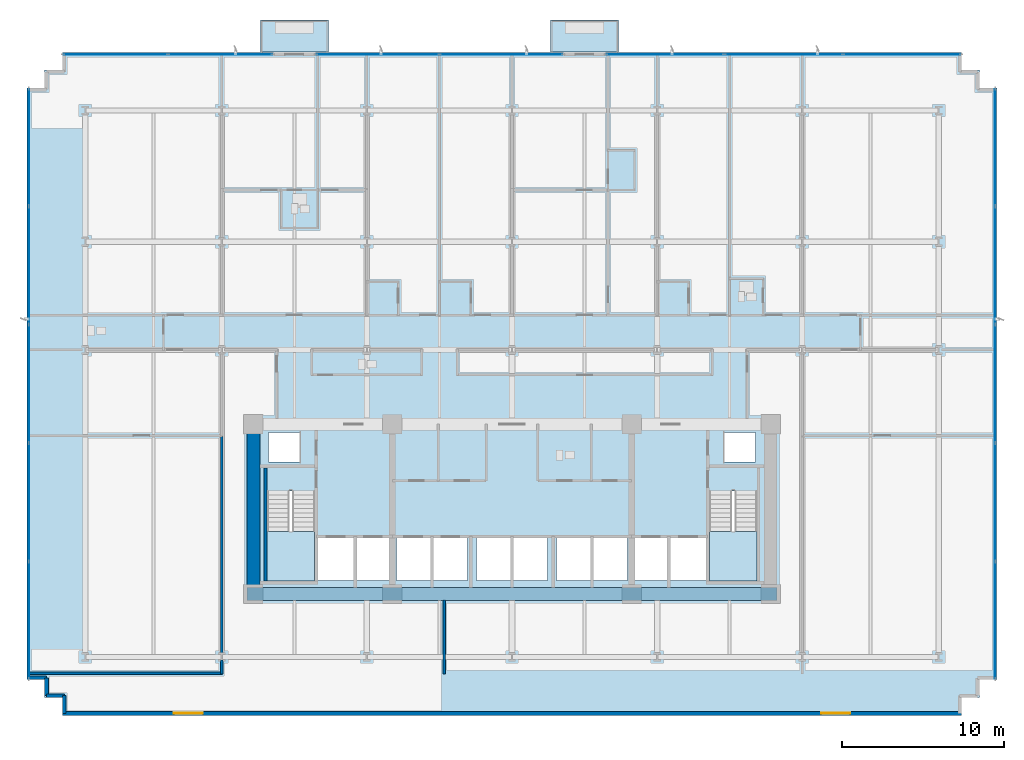
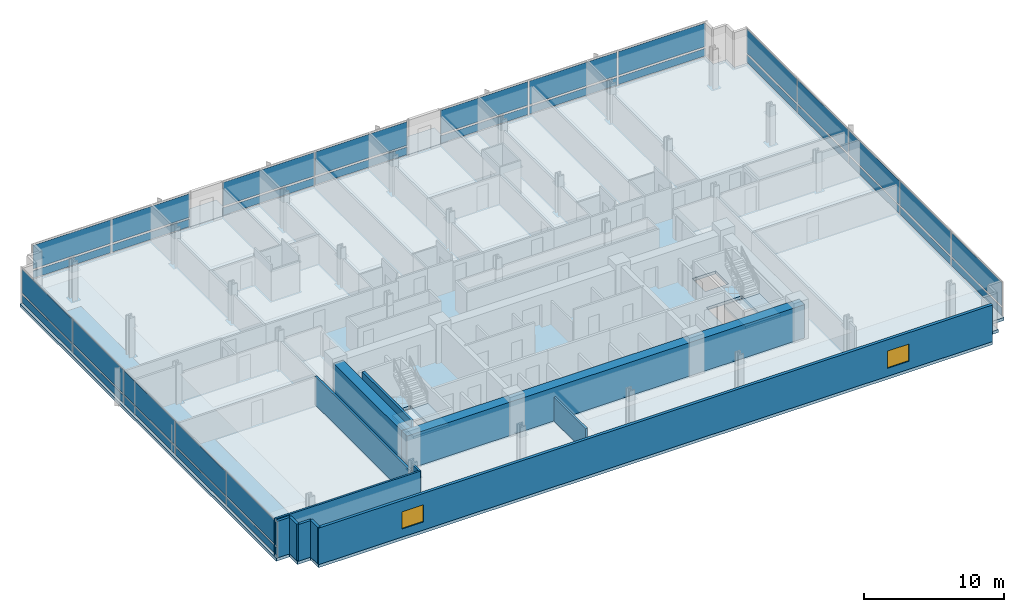
# One storey, part 7 of 16: 34 plates, 12 walls, 5 slabs, 2 windows, 2 openings, 7 elements without a shape of their own.
"""IFC4 building model written with IfcOpenShell, lengths in metres."""

from ifc_helpers import new_model, si_unit, direction, frame, frame_2d, origin, origin_2d, place, context, subcontext, project, spatial, polyline, rectangle, outline, extrude, material, layer, layer_set, type_object, element, fill, aggregate, save


model = new_model("IFC4")

# Units and contexts
model_context = context("Model", 3, precision=1e-05, world=origin(), true_north=direction((0.0, 1.0)))
body_context = subcontext(model_context, "Body", "Model", "MODEL_VIEW")
ifc_project = project(units=[si_unit("LENGTHUNIT", "METRE"), si_unit("AREAUNIT", "SQUARE_METRE"), si_unit("VOLUMEUNIT", "CUBIC_METRE"), si_unit("PLANEANGLEUNIT", "RADIAN"), si_unit("MASSUNIT", "GRAM", prefix="KILO")], contexts=[model_context])

# Site, building, storey
site_placement = place(None, origin())
site = spatial("IfcSite", under=ifc_project, at=site_placement, CompositionType="ELEMENT")
building_placement = place(site_placement, origin())
building = spatial("IfcBuilding", under=site, at=building_placement, Name="Solmavex Isthmus Hotel", CompositionType="ELEMENT")
storey_placement = place(building_placement, frame((0.0, 0.0, 67.800048828125)))
storey = spatial("IfcBuildingStorey", under=building, at=storey_placement, Name="L18", CompositionType="ELEMENT", Elevation=67.800048828125)

# Curtain wall, plates
ifc_material_1 = material(Name="Aluminium alloy 6063-T6", Category="aluminium")
curtain_wall_type = type_object("IfcCurtainWallType", Name="CW-SYS-02", PredefinedType="NOTDEFINED", material=ifc_material_1)
curtain_wall_1_placement = place(storey_placement, origin())
curtain_wall_1 = element("IfcCurtainWall", 1, at=curtain_wall_1_placement, inside=storey, type_object=curtain_wall_type, Name="Stick Curtain Wall CWL-L18-N1", PredefinedType="NOTDEFINED")
ifc_material_2 = material(Name="Clear low-E laminated glass", Category="glass")
ifc_layer_1 = layer(ifc_material_2, 0.031982421875)
ifc_layer_set_1 = layer_set([ifc_layer_1], Name="Clear low-E laminated glass")
plate_type = type_object("IfcPlateType", Name="CW-SYS-02-PNL", PredefinedType="CURTAIN_PANEL", material=ifc_layer_set_1)
plate_1_placement = place(storey_placement, frame((-24.522216796875, 20.3798828125, 0.16015625), z_axis=(0.0, 0.0, 1.0), x_axis=(1.0, 0.0, 0.0)))
plate_1 = element("IfcPlate", 2, at=plate_1_placement, type_object=plate_type, Name="CW-02 panel 1.1", PredefinedType="CURTAIN_PANEL", context=body_context, shape_type="SweptSolid", body=[
    extrude(rectangle(XDim=6.405517578125, YDim=0.031982421875, at=origin_2d()), origin(), (0.0, 0.0, 1.0), 0.659912109375),
])
plate_2_placement = place(storey_placement, frame((-24.522216796875, 20.3798828125, 0.97998046875), z_axis=(0.0, 0.0, 1.0), x_axis=(1.0, 0.0, 0.0)))
plate_2 = element("IfcPlate", 3, at=plate_2_placement, type_object=plate_type, Name="CW-02 panel 1.2", PredefinedType="CURTAIN_PANEL", context=body_context, shape_type="SweptSolid", body=[
    extrude(rectangle(XDim=6.405517578125, YDim=0.031982421875, at=origin_2d()), origin(), (0.0, 0.0, 1.0), 2.050048828125),
])
plate_3_placement = place(storey_placement, frame((-18.041748046875, 20.3798828125, 0.16015625), z_axis=(0.0, 0.0, 1.0), x_axis=(1.0, 0.0, 0.0)))
plate_3 = element("IfcPlate", 4, at=plate_3_placement, type_object=plate_type, Name="CW-02 panel 2.1", PredefinedType="CURTAIN_PANEL", context=body_context, shape_type="SweptSolid", body=[
    extrude(rectangle(XDim=6.405517578125, YDim=0.031982421875, at=origin_2d()), origin(), (0.0, 0.0, 1.0), 0.659912109375),
])
plate_4_placement = place(storey_placement, frame((-18.041748046875, 20.3798828125, 0.97998046875), z_axis=(0.0, 0.0, 1.0), x_axis=(1.0, 0.0, 0.0)))
plate_4 = element("IfcPlate", 5, at=plate_4_placement, type_object=plate_type, Name="CW-02 panel 2.2", PredefinedType="CURTAIN_PANEL", context=body_context, shape_type="SweptSolid", body=[
    extrude(rectangle(XDim=6.405517578125, YDim=0.031982421875, at=origin_2d()), origin(), (0.0, 0.0, 1.0), 2.050048828125),
])
aggregate(curtain_wall_1, [plate_1, plate_2, plate_3, plate_4])

curtain_wall_2_placement = place(storey_placement, origin())
curtain_wall_2 = element("IfcCurtainWall", 6, at=curtain_wall_2_placement, inside=storey, type_object=curtain_wall_type, Name="Stick Curtain Wall CWL-L18-N2", PredefinedType="NOTDEFINED")
plate_5_placement = place(storey_placement, frame((-8.30712890625, 20.3798828125, 0.16015625), z_axis=(0.0, 0.0, 1.0), x_axis=(1.0, 0.0, 0.0)))
plate_5 = element("IfcPlate", 7, at=plate_5_placement, type_object=plate_type, Name="CW-02 panel 1.1", PredefinedType="CURTAIN_PANEL", context=body_context, shape_type="SweptSolid", body=[
    extrude(rectangle(XDim=7.5634765625, YDim=0.031982421875, at=origin_2d()), origin(), (0.0, 0.0, 1.0), 0.659912109375),
])
plate_6_placement = place(storey_placement, frame((-8.30712890625, 20.3798828125, 0.97998046875), z_axis=(0.0, 0.0, 1.0), x_axis=(1.0, 0.0, 0.0)))
plate_6 = element("IfcPlate", 8, at=plate_6_placement, type_object=plate_type, Name="CW-02 panel 1.2", PredefinedType="CURTAIN_PANEL", context=body_context, shape_type="SweptSolid", body=[
    extrude(rectangle(XDim=7.5634765625, YDim=0.031982421875, at=origin_2d()), origin(), (0.0, 0.0, 1.0), 2.050048828125),
])
plate_7_placement = place(storey_placement, frame((-0.668701171875, 20.3798828125, 0.16015625), z_axis=(0.0, 0.0, 1.0), x_axis=(1.0, 0.0, 0.0)))
plate_7 = element("IfcPlate", 9, at=plate_7_placement, type_object=plate_type, Name="CW-02 panel 2.1", PredefinedType="CURTAIN_PANEL", context=body_context, shape_type="SweptSolid", body=[
    extrude(rectangle(XDim=7.5634765625, YDim=0.031982421875, at=origin_2d()), origin(), (0.0, 0.0, 1.0), 0.659912109375),
])
plate_8_placement = place(storey_placement, frame((-0.668701171875, 20.3798828125, 0.97998046875), z_axis=(0.0, 0.0, 1.0), x_axis=(1.0, 0.0, 0.0)))
plate_8 = element("IfcPlate", 10, at=plate_8_placement, type_object=plate_type, Name="CW-02 panel 2.2", PredefinedType="CURTAIN_PANEL", context=body_context, shape_type="SweptSolid", body=[
    extrude(rectangle(XDim=7.5634765625, YDim=0.031982421875, at=origin_2d()), origin(), (0.0, 0.0, 1.0), 2.050048828125),
])
aggregate(curtain_wall_2, [plate_5, plate_6, plate_7, plate_8])

curtain_wall_3_placement = place(storey_placement, origin())
curtain_wall_3 = element("IfcCurtainWall", 11, at=curtain_wall_3_placement, inside=storey, type_object=curtain_wall_type, Name="Stick Curtain Wall CWL-L18-N3", PredefinedType="NOTDEFINED")
plate_9_placement = place(storey_placement, frame((9.475341796875, 20.3798828125, 0.16015625), z_axis=(0.0, 0.0, 1.0), x_axis=(1.0, 0.0, 0.0)))
plate_9 = element("IfcPlate", 12, at=plate_9_placement, type_object=plate_type, Name="CW-02 panel 1.1", PredefinedType="CURTAIN_PANEL", context=body_context, shape_type="SweptSolid", body=[
    extrude(rectangle(XDim=7.224853515625, YDim=0.031982421875, at=origin_2d()), origin(), (0.0, 0.0, 1.0), 0.659912109375),
])
plate_10_placement = place(storey_placement, frame((9.475341796875, 20.3798828125, 0.97998046875), z_axis=(0.0, 0.0, 1.0), x_axis=(1.0, 0.0, 0.0)))
plate_10 = element("IfcPlate", 13, at=plate_10_placement, type_object=plate_type, Name="CW-02 panel 1.2", PredefinedType="CURTAIN_PANEL", context=body_context, shape_type="SweptSolid", body=[
    extrude(rectangle(XDim=7.224853515625, YDim=0.031982421875, at=origin_2d()), origin(), (0.0, 0.0, 1.0), 2.050048828125),
])
plate_11_placement = place(storey_placement, frame((16.7939453125, 20.3798828125, 0.16015625), z_axis=(0.0, 0.0, 1.0), x_axis=(1.0, 0.0, 0.0)))
plate_11 = element("IfcPlate", 14, at=plate_11_placement, type_object=plate_type, Name="CW-02 panel 2.1", PredefinedType="CURTAIN_PANEL", context=body_context, shape_type="SweptSolid", body=[
    extrude(rectangle(XDim=7.262451171875, YDim=0.031982421875, at=origin_2d()), origin(), (0.0, 0.0, 1.0), 0.659912109375),
])
plate_12_placement = place(storey_placement, frame((16.7939453125, 20.3798828125, 0.97998046875), z_axis=(0.0, 0.0, 1.0), x_axis=(1.0, 0.0, 0.0)))
plate_12 = element("IfcPlate", 15, at=plate_12_placement, type_object=plate_type, Name="CW-02 panel 2.2", PredefinedType="CURTAIN_PANEL", context=body_context, shape_type="SweptSolid", body=[
    extrude(rectangle(XDim=7.262451171875, YDim=0.031982421875, at=origin_2d()), origin(), (0.0, 0.0, 1.0), 2.050048828125),
])
plate_13_placement = place(storey_placement, frame((24.112548828125, 20.3798828125, 0.16015625), z_axis=(0.0, 0.0, 1.0), x_axis=(1.0, 0.0, 0.0)))
plate_13 = element("IfcPlate", 16, at=plate_13_placement, type_object=plate_type, Name="CW-02 panel 3.1", PredefinedType="CURTAIN_PANEL", context=body_context, shape_type="SweptSolid", body=[
    extrude(rectangle(XDim=7.224853515625, YDim=0.031982421875, at=origin_2d()), origin(), (0.0, 0.0, 1.0), 0.659912109375),
])
plate_14_placement = place(storey_placement, frame((24.112548828125, 20.3798828125, 0.97998046875), z_axis=(0.0, 0.0, 1.0), x_axis=(1.0, 0.0, 0.0)))
plate_14 = element("IfcPlate", 17, at=plate_14_placement, type_object=plate_type, Name="CW-02 panel 3.2", PredefinedType="CURTAIN_PANEL", context=body_context, shape_type="SweptSolid", body=[
    extrude(rectangle(XDim=7.224853515625, YDim=0.031982421875, at=origin_2d()), origin(), (0.0, 0.0, 1.0), 2.050048828125),
])
aggregate(curtain_wall_3, [plate_9, plate_10, plate_11, plate_12, plate_13, plate_14])

curtain_wall_4_placement = place(storey_placement, origin())
curtain_wall_4 = element("IfcCurtainWall", 18, at=curtain_wall_4_placement, inside=storey, type_object=curtain_wall_type, Name="Stick Curtain Wall CWL-L18-W1", PredefinedType="NOTDEFINED")
plate_15_placement = place(storey_placement, frame((-29.8798828125, -14.621337890625, 0.16015625), z_axis=(0.0, 0.0, 1.0), x_axis=(0.0, 1.0, 0.0)))
plate_15 = element("IfcPlate", 19, at=plate_15_placement, type_object=plate_type, Name="CW-02 panel 1.1", PredefinedType="CURTAIN_PANEL", context=body_context, shape_type="SweptSolid", body=[
    extrude(rectangle(XDim=7.20751953125, YDim=0.031982421875, at=origin_2d()), origin(), (0.0, 0.0, 1.0), 0.659912109375),
])
plate_16_placement = place(storey_placement, frame((-29.8798828125, -14.621337890625, 0.97998046875), z_axis=(0.0, 0.0, 1.0), x_axis=(0.0, 1.0, 0.0)))
plate_16 = element("IfcPlate", 20, at=plate_16_placement, type_object=plate_type, Name="CW-02 panel 1.2", PredefinedType="CURTAIN_PANEL", context=body_context, shape_type="SweptSolid", body=[
    extrude(rectangle(XDim=7.20751953125, YDim=0.031982421875, at=origin_2d()), origin(), (0.0, 0.0, 1.0), 2.050048828125),
])
plate_17_placement = place(storey_placement, frame((-29.8798828125, -7.320068359375, 0.16015625), z_axis=(0.0, 0.0, 1.0), x_axis=(0.0, 1.0, 0.0)))
plate_17 = element("IfcPlate", 21, at=plate_17_placement, type_object=plate_type, Name="CW-02 panel 2.1", PredefinedType="CURTAIN_PANEL", context=body_context, shape_type="SweptSolid", body=[
    extrude(rectangle(XDim=7.2451171875, YDim=0.031982421875, at=origin_2d()), origin(), (0.0, 0.0, 1.0), 0.659912109375),
])
plate_18_placement = place(storey_placement, frame((-29.8798828125, -7.320068359375, 0.97998046875), z_axis=(0.0, 0.0, 1.0), x_axis=(0.0, 1.0, 0.0)))
plate_18 = element("IfcPlate", 22, at=plate_18_placement, type_object=plate_type, Name="CW-02 panel 2.2", PredefinedType="CURTAIN_PANEL", context=body_context, shape_type="SweptSolid", body=[
    extrude(rectangle(XDim=7.2451171875, YDim=0.031982421875, at=origin_2d()), origin(), (0.0, 0.0, 1.0), 2.050048828125),
])
plate_19_placement = place(storey_placement, frame((-29.8798828125, 0.0, 0.16015625), z_axis=(0.0, 0.0, 1.0), x_axis=(0.0, 1.0, 0.0)))
plate_19 = element("IfcPlate", 23, at=plate_19_placement, type_object=plate_type, Name="CW-02 panel 3.1", PredefinedType="CURTAIN_PANEL", context=body_context, shape_type="SweptSolid", body=[
    extrude(rectangle(XDim=7.2451171875, YDim=0.031982421875, at=origin_2d()), origin(), (0.0, 0.0, 1.0), 0.659912109375),
])
plate_20_placement = place(storey_placement, frame((-29.8798828125, 0.0, 0.97998046875), z_axis=(0.0, 0.0, 1.0), x_axis=(0.0, 1.0, 0.0)))
plate_20 = element("IfcPlate", 24, at=plate_20_placement, type_object=plate_type, Name="CW-02 panel 3.2", PredefinedType="CURTAIN_PANEL", context=body_context, shape_type="SweptSolid", body=[
    extrude(rectangle(XDim=7.2451171875, YDim=0.031982421875, at=origin_2d()), origin(), (0.0, 0.0, 1.0), 2.050048828125),
])
plate_21_placement = place(storey_placement, frame((-29.8798828125, 7.320068359375, 0.16015625), z_axis=(0.0, 0.0, 1.0), x_axis=(0.0, 1.0, 0.0)))
plate_21 = element("IfcPlate", 25, at=plate_21_placement, type_object=plate_type, Name="CW-02 panel 4.1", PredefinedType="CURTAIN_PANEL", context=body_context, shape_type="SweptSolid", body=[
    extrude(rectangle(XDim=7.2451171875, YDim=0.031982421875, at=origin_2d()), origin(), (0.0, 0.0, 1.0), 0.659912109375),
])
plate_22_placement = place(storey_placement, frame((-29.8798828125, 7.320068359375, 0.97998046875), z_axis=(0.0, 0.0, 1.0), x_axis=(0.0, 1.0, 0.0)))
plate_22 = element("IfcPlate", 26, at=plate_22_placement, type_object=plate_type, Name="CW-02 panel 4.2", PredefinedType="CURTAIN_PANEL", context=body_context, shape_type="SweptSolid", body=[
    extrude(rectangle(XDim=7.2451171875, YDim=0.031982421875, at=origin_2d()), origin(), (0.0, 0.0, 1.0), 2.050048828125),
])
plate_23_placement = place(storey_placement, frame((-29.8798828125, 14.621337890625, 0.16015625), z_axis=(0.0, 0.0, 1.0), x_axis=(0.0, 1.0, 0.0)))
plate_23 = element("IfcPlate", 27, at=plate_23_placement, type_object=plate_type, Name="CW-02 panel 5.1", PredefinedType="CURTAIN_PANEL", context=body_context, shape_type="SweptSolid", body=[
    extrude(rectangle(XDim=7.20751953125, YDim=0.031982421875, at=origin_2d()), origin(), (0.0, 0.0, 1.0), 0.659912109375),
])
plate_24_placement = place(storey_placement, frame((-29.8798828125, 14.621337890625, 0.97998046875), z_axis=(0.0, 0.0, 1.0), x_axis=(0.0, 1.0, 0.0)))
plate_24 = element("IfcPlate", 28, at=plate_24_placement, type_object=plate_type, Name="CW-02 panel 5.2", PredefinedType="CURTAIN_PANEL", context=body_context, shape_type="SweptSolid", body=[
    extrude(rectangle(XDim=7.20751953125, YDim=0.031982421875, at=origin_2d()), origin(), (0.0, 0.0, 1.0), 2.050048828125),
])
aggregate(curtain_wall_4, [plate_15, plate_16, plate_17, plate_18, plate_19, plate_20, plate_21, plate_22, plate_23, plate_24])

curtain_wall_5_placement = place(storey_placement, origin())
curtain_wall_5 = element("IfcCurtainWall", 29, at=curtain_wall_5_placement, inside=storey, type_object=curtain_wall_type, Name="Stick Curtain Wall CWL-L18-E1", PredefinedType="NOTDEFINED")
plate_25_placement = place(storey_placement, frame((29.8798828125, -14.621337890625, 0.16015625), z_axis=(0.0, 0.0, 1.0), x_axis=(0.0, 1.0, 0.0)))
plate_25 = element("IfcPlate", 30, at=plate_25_placement, type_object=plate_type, Name="CW-02 panel 1.1", PredefinedType="CURTAIN_PANEL", context=body_context, shape_type="SweptSolid", body=[
    extrude(rectangle(XDim=7.20751953125, YDim=0.031982421875, at=origin_2d()), origin(), (0.0, 0.0, 1.0), 0.659912109375),
])
plate_26_placement = place(storey_placement, frame((29.8798828125, -14.621337890625, 0.97998046875), z_axis=(0.0, 0.0, 1.0), x_axis=(0.0, 1.0, 0.0)))
plate_26 = element("IfcPlate", 31, at=plate_26_placement, type_object=plate_type, Name="CW-02 panel 1.2", PredefinedType="CURTAIN_PANEL", context=body_context, shape_type="SweptSolid", body=[
    extrude(rectangle(XDim=7.20751953125, YDim=0.031982421875, at=origin_2d()), origin(), (0.0, 0.0, 1.0), 2.050048828125),
])
plate_27_placement = place(storey_placement, frame((29.8798828125, -7.320068359375, 0.16015625), z_axis=(0.0, 0.0, 1.0), x_axis=(0.0, 1.0, 0.0)))
plate_27 = element("IfcPlate", 32, at=plate_27_placement, type_object=plate_type, Name="CW-02 panel 2.1", PredefinedType="CURTAIN_PANEL", context=body_context, shape_type="SweptSolid", body=[
    extrude(rectangle(XDim=7.2451171875, YDim=0.031982421875, at=origin_2d()), origin(), (0.0, 0.0, 1.0), 0.659912109375),
])
plate_28_placement = place(storey_placement, frame((29.8798828125, -7.320068359375, 0.97998046875), z_axis=(0.0, 0.0, 1.0), x_axis=(0.0, 1.0, 0.0)))
plate_28 = element("IfcPlate", 33, at=plate_28_placement, type_object=plate_type, Name="CW-02 panel 2.2", PredefinedType="CURTAIN_PANEL", context=body_context, shape_type="SweptSolid", body=[
    extrude(rectangle(XDim=7.2451171875, YDim=0.031982421875, at=origin_2d()), origin(), (0.0, 0.0, 1.0), 2.050048828125),
])
plate_29_placement = place(storey_placement, frame((29.8798828125, 0.0, 0.16015625), z_axis=(0.0, 0.0, 1.0), x_axis=(0.0, 1.0, 0.0)))
plate_29 = element("IfcPlate", 34, at=plate_29_placement, type_object=plate_type, Name="CW-02 panel 3.1", PredefinedType="CURTAIN_PANEL", context=body_context, shape_type="SweptSolid", body=[
    extrude(rectangle(XDim=7.2451171875, YDim=0.031982421875, at=origin_2d()), origin(), (0.0, 0.0, 1.0), 0.659912109375),
])
plate_30_placement = place(storey_placement, frame((29.8798828125, 0.0, 0.97998046875), z_axis=(0.0, 0.0, 1.0), x_axis=(0.0, 1.0, 0.0)))
plate_30 = element("IfcPlate", 35, at=plate_30_placement, type_object=plate_type, Name="CW-02 panel 3.2", PredefinedType="CURTAIN_PANEL", context=body_context, shape_type="SweptSolid", body=[
    extrude(rectangle(XDim=7.2451171875, YDim=0.031982421875, at=origin_2d()), origin(), (0.0, 0.0, 1.0), 2.050048828125),
])
plate_31_placement = place(storey_placement, frame((29.8798828125, 7.320068359375, 0.16015625), z_axis=(0.0, 0.0, 1.0), x_axis=(0.0, 1.0, 0.0)))
plate_31 = element("IfcPlate", 36, at=plate_31_placement, type_object=plate_type, Name="CW-02 panel 4.1", PredefinedType="CURTAIN_PANEL", context=body_context, shape_type="SweptSolid", body=[
    extrude(rectangle(XDim=7.2451171875, YDim=0.031982421875, at=origin_2d()), origin(), (0.0, 0.0, 1.0), 0.659912109375),
])
plate_32_placement = place(storey_placement, frame((29.8798828125, 7.320068359375, 0.97998046875), z_axis=(0.0, 0.0, 1.0), x_axis=(0.0, 1.0, 0.0)))
plate_32 = element("IfcPlate", 37, at=plate_32_placement, type_object=plate_type, Name="CW-02 panel 4.2", PredefinedType="CURTAIN_PANEL", context=body_context, shape_type="SweptSolid", body=[
    extrude(rectangle(XDim=7.2451171875, YDim=0.031982421875, at=origin_2d()), origin(), (0.0, 0.0, 1.0), 2.050048828125),
])
plate_33_placement = place(storey_placement, frame((29.8798828125, 14.621337890625, 0.16015625), z_axis=(0.0, 0.0, 1.0), x_axis=(0.0, 1.0, 0.0)))
plate_33 = element("IfcPlate", 38, at=plate_33_placement, type_object=plate_type, Name="CW-02 panel 5.1", PredefinedType="CURTAIN_PANEL", context=body_context, shape_type="SweptSolid", body=[
    extrude(rectangle(XDim=7.20751953125, YDim=0.031982421875, at=origin_2d()), origin(), (0.0, 0.0, 1.0), 0.659912109375),
])
plate_34_placement = place(storey_placement, frame((29.8798828125, 14.621337890625, 0.97998046875), z_axis=(0.0, 0.0, 1.0), x_axis=(0.0, 1.0, 0.0)))
plate_34 = element("IfcPlate", 39, at=plate_34_placement, type_object=plate_type, Name="CW-02 panel 5.2", PredefinedType="CURTAIN_PANEL", context=body_context, shape_type="SweptSolid", body=[
    extrude(rectangle(XDim=7.20751953125, YDim=0.031982421875, at=origin_2d()), origin(), (0.0, 0.0, 1.0), 2.050048828125),
])
aggregate(curtain_wall_5, [plate_25, plate_26, plate_27, plate_28, plate_29, plate_30, plate_31, plate_32, plate_33, plate_34])

# Slabs
ifc_material_3 = material(Name="Concrete C40/50", Category="concrete")
ifc_layer_2 = layer(ifc_material_3, 0.239990234375)
ifc_layer_set_2 = layer_set([ifc_layer_2], Name="Concrete C40/50")
slab_type_1 = type_object("IfcSlabType", Name="SLAB-BALC-240", PredefinedType="FLOOR", material=ifc_layer_set_2)
slab_1_placement = place(storey_placement, frame((0.0, 0.0, -0.239990234375)))
element("IfcSlab", 40, at=slab_1_placement, inside=storey, type_object=slab_type_1, Name="Tree-Planter Balcony Slab L18-B1", PredefinedType="FLOOR", context=body_context, shape_type="SweptSolid", body=[
    extrude(outline(polyline([(-15.56396484375, 20.514892578125), (-11.364013671875, 20.514892578125), (-11.364013671875, 22.5), (-15.56396484375, 22.5), (-15.56396484375, 20.514892578125)])), origin(), (0.0, 0.0, 1.0), 0.239990234375),
])
slab_2_placement = place(storey_placement, frame((0.0, 0.0, -0.239990234375)))
element("IfcSlab", 41, at=slab_2_placement, inside=storey, type_object=slab_type_1, Name="Tree-Planter Balcony Slab L18-B2", PredefinedType="FLOOR", context=body_context, shape_type="SweptSolid", body=[
    extrude(outline(polyline([(2.387939453125, 20.514892578125), (6.587890625, 20.514892578125), (6.587890625, 22.5), (2.387939453125, 22.5), (2.387939453125, 20.514892578125)])), origin(), (0.0, 0.0, 1.0), 0.239990234375),
])
ifc_layer_3 = layer(ifc_material_3, 0.260009765625)
ifc_layer_set_3 = layer_set([ifc_layer_3], Name="Concrete C40/50")
slab_type_2 = type_object("IfcSlabType", Name="SLAB-TYP-260", PredefinedType="FLOOR", material=ifc_layer_set_3)
slab_3_placement = place(storey_placement, frame((0.0, 0.0, -0.260009765625)))
element("IfcSlab", 42, at=slab_3_placement, inside=storey, type_object=slab_type_2, Name="Tower Structural Floor Slab L18", PredefinedType="FLOOR", context=body_context, shape_type="SweptSolid", body=[
    extrude(outline(polyline([(-26.699951171875, -20.5), (26.699951171875, -20.5), (27.800048828125, -20.5), (27.800048828125, -19.39990234375), (28.89990234375, -19.39990234375), (28.89990234375, -18.300048828125), (30.0, -18.300048828125), (30.0, -17.199951171875), (30.0, 17.199951171875), (30.0, 18.300048828125), (28.89990234375, 18.300048828125), (28.89990234375, 19.39990234375), (27.800048828125, 19.39990234375), (27.800048828125, 20.5), (26.699951171875, 20.5), (-26.699951171875, 20.5), (-27.800048828125, 20.5), (-27.800048828125, 19.39990234375), (-28.89990234375, 19.39990234375), (-28.89990234375, 18.300048828125), (-30.0, 18.300048828125), (-30.0, 17.199951171875), (-30.0, -17.199951171875), (-30.0, -18.300048828125), (-28.89990234375, -18.300048828125), (-28.89990234375, -19.39990234375), (-27.800048828125, -19.39990234375), (-27.800048828125, -20.5), (-26.699951171875, -20.5)]), holes=[polyline([(-15.14990234375, -6.617919921875), (-15.14990234375, -12.199951171875), (-12.199951171875, -12.199951171875), (-12.199951171875, -6.617919921875), (-15.14990234375, -6.617919921875)]), polyline([(12.199951171875, -6.617919921875), (12.199951171875, -12.199951171875), (15.14990234375, -12.199951171875), (15.14990234375, -6.617919921875), (12.199951171875, -6.617919921875)]), polyline([(-12.0, -12.14990234375), (-9.800048828125, -12.14990234375), (-9.800048828125, -9.550048828125), (-12.0, -9.550048828125), (-12.0, -12.14990234375)]), polyline([(9.800048828125, -12.14990234375), (12.0, -12.14990234375), (12.0, -9.550048828125), (9.800048828125, -9.550048828125), (9.800048828125, -12.14990234375)]), polyline([(-9.60009765625, -12.14990234375), (-7.60009765625, -12.14990234375), (-7.60009765625, -9.550048828125), (-9.60009765625, -9.550048828125), (-9.60009765625, -12.14990234375)]), polyline([(7.60009765625, -12.14990234375), (9.60009765625, -12.14990234375), (9.60009765625, -9.550048828125), (7.60009765625, -9.550048828125), (7.60009765625, -12.14990234375)]), polyline([(-7.14990234375, -12.14990234375), (-5.050048828125, -12.14990234375), (-5.050048828125, -9.550048828125), (-7.14990234375, -9.550048828125), (-7.14990234375, -12.14990234375)]), polyline([(-4.85009765625, -12.14990234375), (-2.75, -12.14990234375), (-2.75, -9.550048828125), (-4.85009765625, -9.550048828125), (-4.85009765625, -12.14990234375)]), polyline([(-2.199951171875, -12.14990234375), (-0.10009765625, -12.14990234375), (-0.10009765625, -9.550048828125), (-2.199951171875, -9.550048828125), (-2.199951171875, -12.14990234375)]), polyline([(0.10009765625, -12.14990234375), (2.199951171875, -12.14990234375), (2.199951171875, -9.550048828125), (0.10009765625, -9.550048828125), (0.10009765625, -12.14990234375)]), polyline([(2.75, -12.14990234375), (4.85009765625, -12.14990234375), (4.85009765625, -9.550048828125), (2.75, -9.550048828125), (2.75, -12.14990234375)]), polyline([(5.050048828125, -12.14990234375), (7.14990234375, -12.14990234375), (7.14990234375, -9.550048828125), (5.050048828125, -9.550048828125), (5.050048828125, -12.14990234375)]), polyline([(-15.050048828125, -4.85009765625), (-13.14990234375, -4.85009765625), (-13.14990234375, -3.0), (-15.050048828125, -3.0), (-15.050048828125, -4.85009765625)]), polyline([(13.14990234375, -4.85009765625), (15.050048828125, -4.85009765625), (15.050048828125, -3.0), (13.14990234375, -3.0), (13.14990234375, -4.85009765625)])]), origin(), (0.0, 0.0, 1.0), 0.260009765625),
])

# Stair, slab
stair_type_1 = type_object("IfcStairType", Name="STR-ST-1", PredefinedType="HALF_TURN_STAIR", material=ifc_material_3)
stair_1_placement = place(storey_placement, origin())
stair_1 = element("IfcStair", 43, at=stair_1_placement, inside=storey, type_object=stair_type_1, Name="L18 Protected Exit Stair ST-1", PredefinedType="HALF_TURN_STAIR")
ifc_layer_4 = layer(ifc_material_3, 0.219970703125)
ifc_layer_set_4 = layer_set([ifc_layer_4], Name="Concrete C40/50")
slab_type_3 = type_object("IfcSlabType", Name="SLD-ST-1", PredefinedType="LANDING", material=ifc_layer_set_4)
slab_4_placement = place(storey_placement, frame((0.0, 0.0, 1.52490234375)))
slab_4 = element("IfcSlab", 44, at=slab_4_placement, type_object=slab_type_3, Name="ST-1 landing 1", PredefinedType="LANDING", context=body_context, shape_type="SweptSolid", body=[
    extrude(outline(polyline([(-15.14990234375, -9.1201171875), (-15.14990234375, -12.199951171875), (-12.199951171875, -12.199951171875), (-12.199951171875, -9.1201171875), (-15.14990234375, -9.1201171875)])), origin(), (0.0, 0.0, 1.0), 0.199951171875),
])
aggregate(stair_1, [slab_4])

stair_type_2 = type_object("IfcStairType", Name="STR-ST-2", PredefinedType="HALF_TURN_STAIR", material=ifc_material_3)
stair_2_placement = place(storey_placement, origin())
stair_2 = element("IfcStair", 45, at=stair_2_placement, inside=storey, type_object=stair_type_2, Name="L18 Protected Exit Stair ST-2", PredefinedType="HALF_TURN_STAIR")
ifc_layer_5 = layer(ifc_material_3, 0.219970703125)
ifc_layer_set_5 = layer_set([ifc_layer_5], Name="Concrete C40/50")
slab_type_4 = type_object("IfcSlabType", Name="SLD-ST-2", PredefinedType="LANDING", material=ifc_layer_set_5)
slab_5_placement = place(storey_placement, frame((0.0, 0.0, 1.52490234375)))
slab_5 = element("IfcSlab", 46, at=slab_5_placement, type_object=slab_type_4, Name="ST-2 landing 1", PredefinedType="LANDING", context=body_context, shape_type="SweptSolid", body=[
    extrude(outline(polyline([(12.199951171875, -9.1201171875), (12.199951171875, -12.199951171875), (15.14990234375, -12.199951171875), (15.14990234375, -9.1201171875), (12.199951171875, -9.1201171875)])), origin(), (0.0, 0.0, 1.0), 0.199951171875),
])
aggregate(stair_2, [slab_5])

# Wall, openings, windows
ifc_material_4 = material(Name="Precast Concrete C40/50", Category="concrete")
ifc_layer_6 = layer(ifc_material_4, 0.25)
ifc_layer_set_6 = layer_set([ifc_layer_6], Name="Precast Concrete C40/50")
wall_type_1 = type_object("IfcWallType", Name="EW-TWR-250", PredefinedType="STANDARD", material=ifc_layer_set_6)
wall_1_placement = place(storey_placement, frame((-27.800048828125, -20.3798828125, 0.0), z_axis=(0.0, 0.0, 1.0), x_axis=(1.0, 0.0, 0.0)))
wall_1 = element("IfcWall", 47, at=wall_1_placement, inside=storey, type_object=wall_type_1, Name="Tower Rear South Facade Wall L18", PredefinedType="STANDARD", context=body_context, shape_type="SweptSolid", body=[
    extrude(rectangle(XDim=55.60009765625, YDim=0.239990234375, at=frame_2d((27.800048828125, 0.0))), origin(), (0.0, 0.0, 1.0), 3.18994140625),
])
opening_1_placement = place(wall_1_placement, frame((6.884033203125, 0.0, 0.699951171875)))
opening_1 = element("IfcOpeningElement", 48, at=opening_1_placement, cuts=wall_1, Name="Opening WN-02", PredefinedType="OPENING", context=body_context, shape_type="SweptSolid", body=[
    extrude(rectangle(XDim=1.800048828125, YDim=1.5, at=frame_2d((0.89990234375, 0.75))), frame((0.0, 0.1298828125, 0.0), z_axis=(0.0, -1.0, 0.0), x_axis=(1.0, 0.0, 0.0)), (0.0, 0.0, 1.0), 0.260009765625),
])
opening_2_placement = place(wall_1_placement, frame((46.916015625, 0.0, 0.699951171875)))
opening_2 = element("IfcOpeningElement", 49, at=opening_2_placement, cuts=wall_1, Name="Opening WN-02", PredefinedType="OPENING", context=body_context, shape_type="SweptSolid", body=[
    extrude(rectangle(XDim=1.800048828125, YDim=1.5, at=frame_2d((0.89990234375, 0.75))), frame((0.0, 0.1298828125, 0.0), z_axis=(0.0, -1.0, 0.0), x_axis=(1.0, 0.0, 0.0)), (0.0, 0.0, 1.0), 0.260009765625),
])
window_type = type_object("IfcWindowType", Name="WIN-TWR-1800", PartitioningType="SINGLE_PANEL", PredefinedType="WINDOW", material=ifc_material_2)
window_1_placement = place(opening_1_placement, origin())
window_1 = element("IfcWindow", 50, at=window_1_placement, inside=storey, type_object=window_type, Name="South Facade Vision Window L18-S1", OverallHeight=1.5, OverallWidth=1.800048828125, PartitioningType="SINGLE_PANEL", PredefinedType="WINDOW", context=body_context, shape_type="SweptSolid", body=[
    extrude(rectangle(XDim=1.800048828125, YDim=1.5, at=frame_2d((0.89990234375, 0.75))), frame((0.0, 0.030029296875, 0.0), z_axis=(0.0, -1.0, 0.0), x_axis=(1.0, 0.0, 0.0)), (0.0, 0.0, 1.0), 0.06005859375),
])
fill(opening_1, window_1)
window_2_placement = place(opening_2_placement, origin())
window_2 = element("IfcWindow", 51, at=window_2_placement, inside=storey, type_object=window_type, Name="South Facade Vision Window L18-S2", OverallHeight=1.5, OverallWidth=1.800048828125, PartitioningType="SINGLE_PANEL", PredefinedType="WINDOW", context=body_context, shape_type="SweptSolid", body=[
    extrude(rectangle(XDim=1.800048828125, YDim=1.5, at=frame_2d((0.89990234375, 0.75))), frame((0.0, 0.030029296875, 0.0), z_axis=(0.0, -1.0, 0.0), x_axis=(1.0, 0.0, 0.0)), (0.0, 0.0, 1.0), 0.06005859375),
])
fill(opening_2, window_2)

# Walls
wall_2_placement = place(storey_placement, frame((-27.68994140625, -20.389892578125, 0.0), z_axis=(0.0, 0.0, 1.0), x_axis=(0.0, 1.0, 0.0)))
element("IfcWall", 52, at=wall_2_placement, inside=storey, type_object=wall_type_1, Name="Serrated Corner Facade Panel L18-01", PredefinedType="STANDARD", context=body_context, shape_type="SweptSolid", body=[
    extrude(rectangle(XDim=1.099853515625, YDim=0.219970703125, at=frame_2d((0.5498046875, 0.0))), origin(), (0.0, 0.0, 1.0), 3.18994140625),
])
for number, where, z_axis, x_axis, name in (
    (53, (-27.68994140625, -19.2900390625, 0.0), (0.0, 0.0, 1.0), (-1.0, 0.0, 0.0), "Serrated Corner Facade Panel L18-02"),
    (54, (-28.7900390625, -19.2900390625, 0.0), (0.0, 0.0, 1.0), (0.0, 1.0, 0.0), "Serrated Corner Facade Panel L18-03"),
):
    element("IfcWall", number, at=place(storey_placement, frame(where, z_axis=z_axis, x_axis=x_axis)), inside=storey, type_object=wall_type_1, Name=name, PredefinedType="STANDARD", context=body_context, shape_type="SweptSolid", body=[
        extrude(rectangle(XDim=1.10009765625, YDim=0.219970703125, at=frame_2d((0.550048828125, 0.0))), origin(), (0.0, 0.0, 1.0), 3.18994140625),
    ])
wall_3_placement = place(storey_placement, frame((-28.7900390625, -18.18994140625, 0.0), z_axis=(0.0, 0.0, 1.0), x_axis=(-1.0, 0.0, 0.0)))
element("IfcWall", 55, at=wall_3_placement, inside=storey, type_object=wall_type_1, Name="Serrated Corner Facade Panel L18-04", PredefinedType="STANDARD", context=body_context, shape_type="SweptSolid", body=[
    extrude(rectangle(XDim=1.099853515625, YDim=0.219970703125, at=frame_2d((0.5498046875, 0.0))), origin(), (0.0, 0.0, 1.0), 3.18994140625),
])
ifc_material_5 = material(Name="Gypsum plasterboard lining", Category="gypsum")
ifc_layer_7 = layer(ifc_material_5, 0.159912109375)
ifc_layer_set_7 = layer_set([ifc_layer_7], Name="Gypsum plasterboard lining")
wall_type_2 = type_object("IfcWallType", Name="IW-COMP-160", PredefinedType="PARTITIONING", material=ifc_layer_set_7)
wall_4_placement = place(storey_placement, frame((-4.199951171875, -17.93994140625, 0.0), z_axis=(0.0, 0.0, 1.0), x_axis=(0.0, 1.0, 0.0)))
element("IfcWall", 56, at=wall_4_placement, inside=storey, type_object=wall_type_2, Name="Interior Partition Wall W-L18-P092", PredefinedType="PARTITIONING", context=body_context, shape_type="SweptSolid", body=[
    extrude(rectangle(XDim=4.579833984375, YDim=0.159912109375, at=frame_2d((2.2900390625, 0.0))), origin(), (0.0, 0.0, 1.0), 2.074951171875),
])
wall_5_placement = place(storey_placement, frame((-29.919921875, -17.89990234375, 0.0), z_axis=(0.0, 0.0, 1.0), x_axis=(1.0, 0.0, 0.0)))
element("IfcWall", 57, at=wall_5_placement, inside=storey, type_object=wall_type_2, Name="Interior Partition Wall W-L18-P095", PredefinedType="PARTITIONING", context=body_context, shape_type="SweptSolid", body=[
    extrude(rectangle(XDim=12.0078125, YDim=0.159912109375, at=frame_2d((6.00390625, 0.0))), origin(), (0.0, 0.0, 1.0), 3.18994140625),
])
wall_6_placement = place(storey_placement, frame((-17.951904296875, -17.93994140625, 0.0), z_axis=(0.0, 0.0, 1.0), x_axis=(0.0, 1.0, 0.0)))
element("IfcWall", 58, at=wall_6_placement, inside=storey, type_object=wall_type_2, Name="Interior Partition Wall W-L18-P096", PredefinedType="PARTITIONING", context=body_context, shape_type="SweptSolid", body=[
    extrude(rectangle(XDim=0.864990234375, YDim=0.159912109375, at=frame_2d((0.4326171875, 0.0))), origin(), (0.0, 0.0, 1.0), 3.18994140625),
])
wall_7_placement = place(storey_placement, frame((-17.951904296875, -16.72509765625, 0.0), z_axis=(0.0, 0.0, 1.0), x_axis=(0.0, 1.0, 0.0)))
element("IfcWall", 59, at=wall_7_placement, inside=storey, type_object=wall_type_2, Name="Interior Partition Wall W-L18-P097", PredefinedType="PARTITIONING", context=body_context, shape_type="SweptSolid", body=[
    extrude(rectangle(XDim=13.607177734375, YDim=0.159912109375, at=frame_2d((6.8037109375, 0.0))), origin(), (0.0, 0.0, 1.0), 2.4794921875),
])
ifc_material_6 = material(Name="Concrete C70/85", Category="concrete")
ifc_layer_8 = layer(ifc_material_6, 0.800048828125)
ifc_layer_set_8 = layer_set([ifc_layer_8], Name="Concrete C70/85")
wall_type_3 = type_object("IfcWallType", Name="WALL-CW-800", PredefinedType="SHEAR", material=ifc_layer_set_8)
wall_8_placement = place(storey_placement, frame((-16.39990234375, -13.0, 0.0), z_axis=(0.0, 0.0, 1.0), x_axis=(1.0, 0.0, 0.0)))
element("IfcWall", 60, at=wall_8_placement, inside=storey, type_object=wall_type_3, Name="Core Shear Wall South L18", PredefinedType="SHEAR", context=body_context, shape_type="SweptSolid", body=[
    extrude(rectangle(XDim=32.7998046875, YDim=0.800048828125, at=frame_2d((16.39990234375, 0.0))), origin(), (0.0, 0.0, 1.0), 2.909912109375),
])
wall_9_placement = place(storey_placement, frame((-16.0, -12.60009765625, 0.0), z_axis=(0.0, 0.0, 1.0), x_axis=(0.0, 1.0, 0.0)))
element("IfcWall", 61, at=wall_9_placement, inside=storey, type_object=wall_type_3, Name="Core Shear Wall West L18", PredefinedType="SHEAR", context=body_context, shape_type="SweptSolid", body=[
    extrude(rectangle(XDim=9.7001953125, YDim=0.800048828125, at=frame_2d((4.85009765625, 0.0))), origin(), (0.0, 0.0, 1.0), 2.909912109375),
])
ifc_layer_9 = layer(ifc_material_3, 0.199951171875)
ifc_layer_set_9 = layer_set([ifc_layer_9], Name="Concrete C40/50")
wall_type_4 = type_object("IfcWallType", Name="WALL-SW-200", PredefinedType="SOLIDWALL", material=ifc_layer_set_9)
wall_10_placement = place(storey_placement, frame((-15.25, -12.199951171875, 0.0), z_axis=(0.0, 0.0, 1.0), x_axis=(0.0, 1.0, 0.0)))
element("IfcWall", 62, at=wall_10_placement, inside=storey, type_object=wall_type_4, Name="Stairwell Structural Wall SW-L18-ST1-W", PredefinedType="SOLIDWALL", context=body_context, shape_type="SweptSolid", body=[
    extrude(rectangle(XDim=7.0, YDim=0.199951171875, at=frame_2d((3.5, 0.0))), origin(), (0.0, 0.0, 1.0), 3.18994140625),
])

save(model, "model.ifc")
